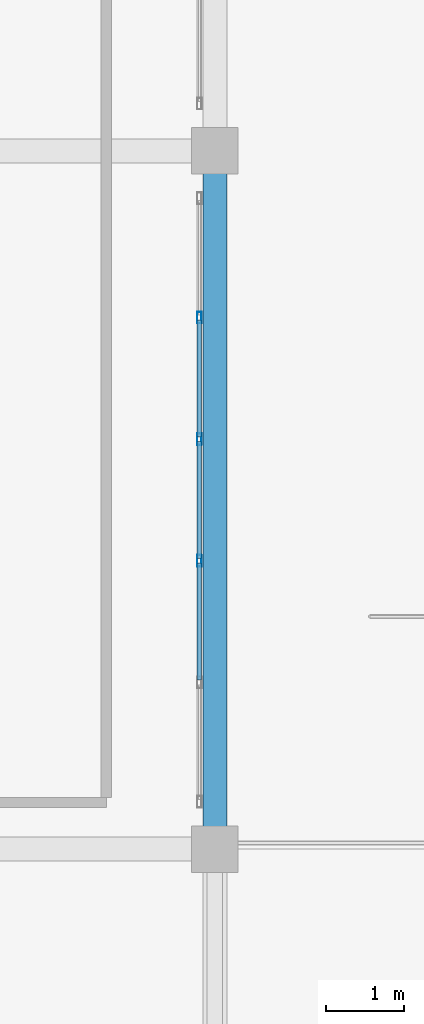
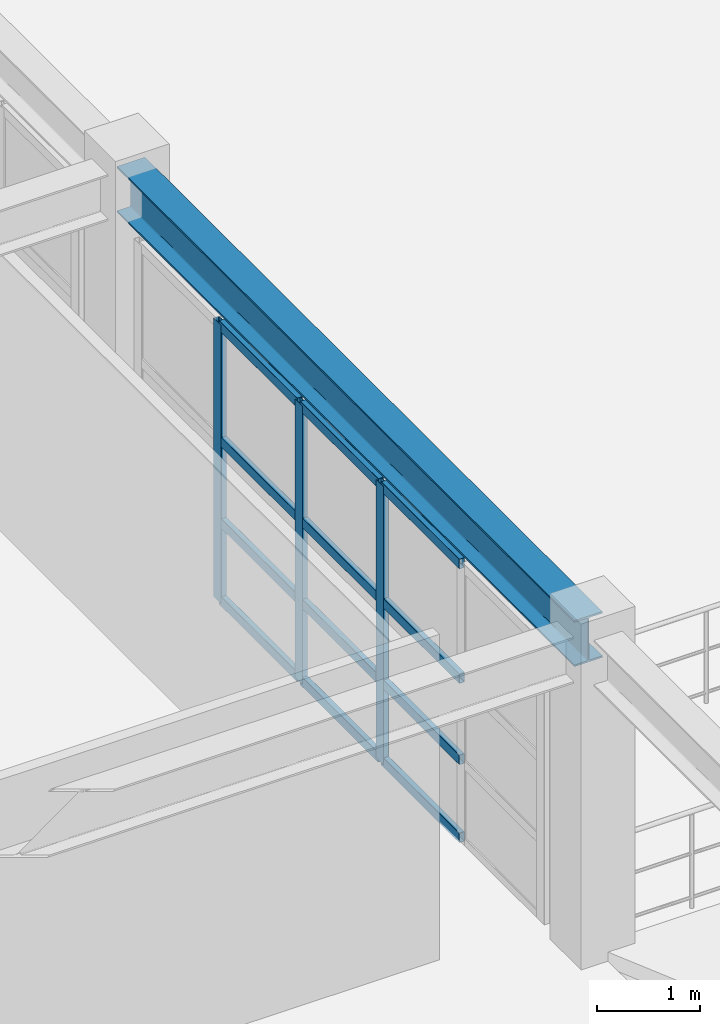
# One storey, part 35 of 110: 15 members, 1 beam, 1 element without a shape of its own.
"""IFC4 building model written with IfcOpenShell, lengths in metres."""

from ifc_helpers import new_model, si_unit, direction, frame, origin, origin_2d, place, context, subcontext, project, spatial, hollow_rectangle, i_section, extrude, material, material_profile, profile_set, type_object, element, aggregate, save


model = new_model("IFC4")

# Units and contexts
model_context = context("Model", 3, precision=1e-05, world=origin(), true_north=direction((0.0, 1.0)))
body_context = subcontext(model_context, "Body", "Model", "MODEL_VIEW")
ifc_project = project(units=[si_unit("LENGTHUNIT", "METRE"), si_unit("AREAUNIT", "SQUARE_METRE"), si_unit("VOLUMEUNIT", "CUBIC_METRE"), si_unit("PLANEANGLEUNIT", "RADIAN"), si_unit("MASSUNIT", "GRAM", prefix="KILO")], contexts=[model_context])

# Site, building, storey
site_placement = place(None, origin())
site = spatial("IfcSite", under=ifc_project, at=site_placement, CompositionType="ELEMENT")
building_placement = place(site_placement, origin())
building = spatial("IfcBuilding", under=site, at=building_placement, Name="Miravela Opera House", CompositionType="ELEMENT")
storey_placement = place(building_placement, frame((0.0, 0.0, 13.60009765625)))
storey = spatial("IfcBuildingStorey", under=building, at=storey_placement, Name="L03", CompositionType="ELEMENT", Elevation=13.60009765625)

# Curtain wall, members
ifc_material_1 = material(Name="Anodised architectural bronze aluminium 6063-T6", Category="aluminium")
curtain_wall_type = type_object("IfcCurtainWallType", Name="ARC-CW-08", PredefinedType="NOTDEFINED", material=ifc_material_1)
curtain_wall_placement = place(storey_placement, origin())
curtain_wall = element("IfcCurtainWall", 1, at=curtain_wall_placement, inside=storey, type_object=curtain_wall_type, Name="Courtyard Arcade Curtain Wall CW-L03-201", PredefinedType="NOTDEFINED")
ifc_material_profile_1 = material_profile(ifc_material_1, hollow_rectangle(XDim=0.06005859375, YDim=0.14990234375, WallThickness=0.00390625, InnerFilletRadius=0.001953125, OuterFilletRadius=0.00390625, at=origin_2d()), Name="CWM-60X150")
ifc_profile_set_1 = profile_set([ifc_material_profile_1])
member_type_1 = type_object("IfcMemberType", Name="ARC-CWM-150", PredefinedType="MULLION", material=ifc_profile_set_1)
member_1_placement = place(storey_placement, frame((89.800048828125, 12.716064453125, 0.0), z_axis=(0.0, 0.0, 1.0), x_axis=(-1.0, 0.0, 0.0)))
member_1 = element("IfcMember", 2, at=member_1_placement, type_object=member_type_1, Name="CW-08 mullion 3", PredefinedType="MULLION", context=body_context, shape_type="SweptSolid", body=[
    extrude(hollow_rectangle(XDim=0.06005859375, YDim=0.14990234375, WallThickness=0.00390625, InnerFilletRadius=0.001953125, OuterFilletRadius=0.00390625, at=origin_2d()), origin(), (0.0, 0.0, 1.0), 3.289794921875),
])
member_2_placement = place(storey_placement, frame((89.800048828125, 14.283935546875, 0.0), z_axis=(0.0, 0.0, 1.0), x_axis=(-1.0, 0.0, 0.0)))
member_2 = element("IfcMember", 3, at=member_2_placement, type_object=member_type_1, Name="CW-08 mullion 4", PredefinedType="MULLION", context=body_context, shape_type="SweptSolid", body=[
    extrude(hollow_rectangle(XDim=0.06005859375, YDim=0.14990234375, WallThickness=0.00390625, InnerFilletRadius=0.001953125, OuterFilletRadius=0.00390625, at=origin_2d()), origin(), (0.0, 0.0, 1.0), 3.289794921875),
])
member_3_placement = place(storey_placement, frame((89.800048828125, 15.85205078125, 0.0), z_axis=(0.0, 0.0, 1.0), x_axis=(-1.0, 0.0, 0.0)))
member_3 = element("IfcMember", 4, at=member_3_placement, type_object=member_type_1, Name="CW-08 mullion 5", PredefinedType="MULLION", context=body_context, shape_type="SweptSolid", body=[
    extrude(hollow_rectangle(XDim=0.06005859375, YDim=0.14990234375, WallThickness=0.00390625, InnerFilletRadius=0.001953125, OuterFilletRadius=0.00390625, at=origin_2d()), origin(), (0.0, 0.0, 1.0), 3.289794921875),
])
ifc_material_profile_2 = material_profile(ifc_material_1, hollow_rectangle(XDim=0.06005859375, YDim=0.114990234375, WallThickness=0.00390625, InnerFilletRadius=0.001953125, OuterFilletRadius=0.00390625, at=origin_2d()), Name="CWT-60X115")
ifc_profile_set_2 = profile_set([ifc_material_profile_2])
member_type_2 = type_object("IfcMemberType", Name="ARC-CWT-115", PredefinedType="USERDEFINED", material=ifc_profile_set_2)
member_4_placement = place(storey_placement, frame((89.800048828125, 11.177978515625, 0.02978515625), z_axis=(0.0, 1.0, 0.0), x_axis=(-1.0, 0.0, 0.0)))
member_4 = element("IfcMember", 5, at=member_4_placement, type_object=member_type_2, Name="CW-08 transom 2.1", ObjectType="TRANSOM", PredefinedType="USERDEFINED", context=body_context, shape_type="SweptSolid", body=[
    extrude(hollow_rectangle(XDim=0.06005859375, YDim=0.114990234375, WallThickness=0.00390625, InnerFilletRadius=0.001953125, OuterFilletRadius=0.00390625, at=origin_2d()), origin(), (0.0, 0.0, 1.0), 1.508056640625),
])
member_5_placement = place(storey_placement, frame((89.800048828125, 11.177978515625, 0.949951171875), z_axis=(0.0, 1.0, 0.0), x_axis=(-1.0, 0.0, 0.0)))
member_5 = element("IfcMember", 6, at=member_5_placement, type_object=member_type_2, Name="CW-08 transom 2.2", ObjectType="TRANSOM", PredefinedType="USERDEFINED", context=body_context, shape_type="SweptSolid", body=[
    extrude(hollow_rectangle(XDim=0.06005859375, YDim=0.114990234375, WallThickness=0.00390625, InnerFilletRadius=0.001953125, OuterFilletRadius=0.00390625, at=origin_2d()), origin(), (0.0, 0.0, 1.0), 1.508056640625),
])
member_6_placement = place(storey_placement, frame((89.800048828125, 11.177978515625, 1.908203125), z_axis=(0.0, 1.0, 0.0), x_axis=(-1.0, 0.0, 0.0)))
member_6 = element("IfcMember", 7, at=member_6_placement, type_object=member_type_2, Name="CW-08 transom 2.3", ObjectType="TRANSOM", PredefinedType="USERDEFINED", context=body_context, shape_type="SweptSolid", body=[
    extrude(hollow_rectangle(XDim=0.06005859375, YDim=0.114990234375, WallThickness=0.00390625, InnerFilletRadius=0.001953125, OuterFilletRadius=0.00390625, at=origin_2d()), origin(), (0.0, 0.0, 1.0), 1.508056640625),
])
member_7_placement = place(storey_placement, frame((89.800048828125, 11.177978515625, 3.260009765625), z_axis=(0.0, 1.0, 0.0), x_axis=(-1.0, 0.0, 0.0)))
member_7 = element("IfcMember", 8, at=member_7_placement, type_object=member_type_2, Name="CW-08 transom 2.4", ObjectType="TRANSOM", PredefinedType="USERDEFINED", context=body_context, shape_type="SweptSolid", body=[
    extrude(hollow_rectangle(XDim=0.06005859375, YDim=0.114990234375, WallThickness=0.00390625, InnerFilletRadius=0.001953125, OuterFilletRadius=0.00390625, at=origin_2d()), origin(), (0.0, 0.0, 1.0), 1.508056640625),
])
member_8_placement = place(storey_placement, frame((89.800048828125, 12.74609375, 0.02978515625), z_axis=(0.0, 1.0, 0.0), x_axis=(-1.0, 0.0, 0.0)))
member_8 = element("IfcMember", 9, at=member_8_placement, type_object=member_type_2, Name="CW-08 transom 3.1", ObjectType="TRANSOM", PredefinedType="USERDEFINED", context=body_context, shape_type="SweptSolid", body=[
    extrude(hollow_rectangle(XDim=0.06005859375, YDim=0.114990234375, WallThickness=0.00390625, InnerFilletRadius=0.001953125, OuterFilletRadius=0.00390625, at=origin_2d()), origin(), (0.0, 0.0, 1.0), 1.5078125),
])
member_9_placement = place(storey_placement, frame((89.800048828125, 12.74609375, 0.949951171875), z_axis=(0.0, 1.0, 0.0), x_axis=(-1.0, 0.0, 0.0)))
member_9 = element("IfcMember", 10, at=member_9_placement, type_object=member_type_2, Name="CW-08 transom 3.2", ObjectType="TRANSOM", PredefinedType="USERDEFINED", context=body_context, shape_type="SweptSolid", body=[
    extrude(hollow_rectangle(XDim=0.06005859375, YDim=0.114990234375, WallThickness=0.00390625, InnerFilletRadius=0.001953125, OuterFilletRadius=0.00390625, at=origin_2d()), origin(), (0.0, 0.0, 1.0), 1.5078125),
])
member_10_placement = place(storey_placement, frame((89.800048828125, 12.74609375, 1.908203125), z_axis=(0.0, 1.0, 0.0), x_axis=(-1.0, 0.0, 0.0)))
member_10 = element("IfcMember", 11, at=member_10_placement, type_object=member_type_2, Name="CW-08 transom 3.3", ObjectType="TRANSOM", PredefinedType="USERDEFINED", context=body_context, shape_type="SweptSolid", body=[
    extrude(hollow_rectangle(XDim=0.06005859375, YDim=0.114990234375, WallThickness=0.00390625, InnerFilletRadius=0.001953125, OuterFilletRadius=0.00390625, at=origin_2d()), origin(), (0.0, 0.0, 1.0), 1.5078125),
])
member_11_placement = place(storey_placement, frame((89.800048828125, 12.74609375, 3.260009765625), z_axis=(0.0, 1.0, 0.0), x_axis=(-1.0, 0.0, 0.0)))
member_11 = element("IfcMember", 12, at=member_11_placement, type_object=member_type_2, Name="CW-08 transom 3.4", ObjectType="TRANSOM", PredefinedType="USERDEFINED", context=body_context, shape_type="SweptSolid", body=[
    extrude(hollow_rectangle(XDim=0.06005859375, YDim=0.114990234375, WallThickness=0.00390625, InnerFilletRadius=0.001953125, OuterFilletRadius=0.00390625, at=origin_2d()), origin(), (0.0, 0.0, 1.0), 1.5078125),
])
member_12_placement = place(storey_placement, frame((89.800048828125, 14.31396484375, 0.02978515625), z_axis=(0.0, 1.0, 0.0), x_axis=(-1.0, 0.0, 0.0)))
member_12 = element("IfcMember", 13, at=member_12_placement, type_object=member_type_2, Name="CW-08 transom 4.1", ObjectType="TRANSOM", PredefinedType="USERDEFINED", context=body_context, shape_type="SweptSolid", body=[
    extrude(hollow_rectangle(XDim=0.06005859375, YDim=0.114990234375, WallThickness=0.00390625, InnerFilletRadius=0.001953125, OuterFilletRadius=0.00390625, at=origin_2d()), origin(), (0.0, 0.0, 1.0), 1.508056640625),
])
member_13_placement = place(storey_placement, frame((89.800048828125, 14.31396484375, 0.949951171875), z_axis=(0.0, 1.0, 0.0), x_axis=(-1.0, 0.0, 0.0)))
member_13 = element("IfcMember", 14, at=member_13_placement, type_object=member_type_2, Name="CW-08 transom 4.2", ObjectType="TRANSOM", PredefinedType="USERDEFINED", context=body_context, shape_type="SweptSolid", body=[
    extrude(hollow_rectangle(XDim=0.06005859375, YDim=0.114990234375, WallThickness=0.00390625, InnerFilletRadius=0.001953125, OuterFilletRadius=0.00390625, at=origin_2d()), origin(), (0.0, 0.0, 1.0), 1.508056640625),
])
member_14_placement = place(storey_placement, frame((89.800048828125, 14.31396484375, 1.908203125), z_axis=(0.0, 1.0, 0.0), x_axis=(-1.0, 0.0, 0.0)))
member_14 = element("IfcMember", 15, at=member_14_placement, type_object=member_type_2, Name="CW-08 transom 4.3", ObjectType="TRANSOM", PredefinedType="USERDEFINED", context=body_context, shape_type="SweptSolid", body=[
    extrude(hollow_rectangle(XDim=0.06005859375, YDim=0.114990234375, WallThickness=0.00390625, InnerFilletRadius=0.001953125, OuterFilletRadius=0.00390625, at=origin_2d()), origin(), (0.0, 0.0, 1.0), 1.508056640625),
])
member_15_placement = place(storey_placement, frame((89.800048828125, 14.31396484375, 3.260009765625), z_axis=(0.0, 1.0, 0.0), x_axis=(-1.0, 0.0, 0.0)))
member_15 = element("IfcMember", 16, at=member_15_placement, type_object=member_type_2, Name="CW-08 transom 4.4", ObjectType="TRANSOM", PredefinedType="USERDEFINED", context=body_context, shape_type="SweptSolid", body=[
    extrude(hollow_rectangle(XDim=0.06005859375, YDim=0.114990234375, WallThickness=0.00390625, InnerFilletRadius=0.001953125, OuterFilletRadius=0.00390625, at=origin_2d()), origin(), (0.0, 0.0, 1.0), 1.508056640625),
])
aggregate(curtain_wall, [member_1, member_2, member_3, member_4, member_5, member_6, member_7, member_8, member_9, member_10, member_11, member_12, member_13, member_14, member_15])

# Beam
ifc_material_2 = material(Name="Structural steel ASTM A992 Gr. 50", Category="steel")
ifc_material_profile_3 = material_profile(ifc_material_2, i_section(OverallWidth=0.31201171875, OverallDepth=0.54296875, WebThickness=0.0126953125, FlangeThickness=0.020263671875, FilletRadius=0.01611328125, at=origin_2d()), Name="W530X150")
ifc_profile_set_3 = profile_set([ifc_material_profile_3])
beam_type = type_object("IfcBeamType", Name="STR-BM-W530X150", PredefinedType="BEAM", material=ifc_profile_set_3)
beam_placement = place(storey_placement, frame((90.0, 9.080078125, 3.568359375), z_axis=(0.0, 1.0, 0.0), x_axis=(-1.0, 0.0, 0.0)))
element("IfcBeam", 17, at=beam_placement, inside=storey, type_object=beam_type, Name="Roof Eave Girder ROOF-V4-MID E1", PredefinedType="BEAM", context=body_context, shape_type="SweptSolid", body=[
    extrude(i_section(OverallWidth=0.31201171875, OverallDepth=0.54296875, WebThickness=0.0126953125, FlangeThickness=0.020263671875, FilletRadius=0.01611328125, at=origin_2d()), origin(), (0.0, 0.0, 1.0), 8.83984375),
])

save(model, "model.ifc")
